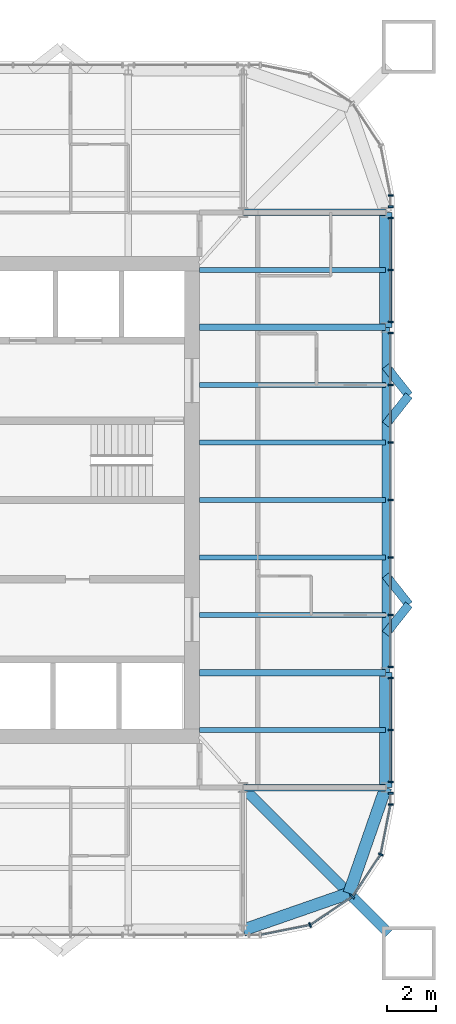
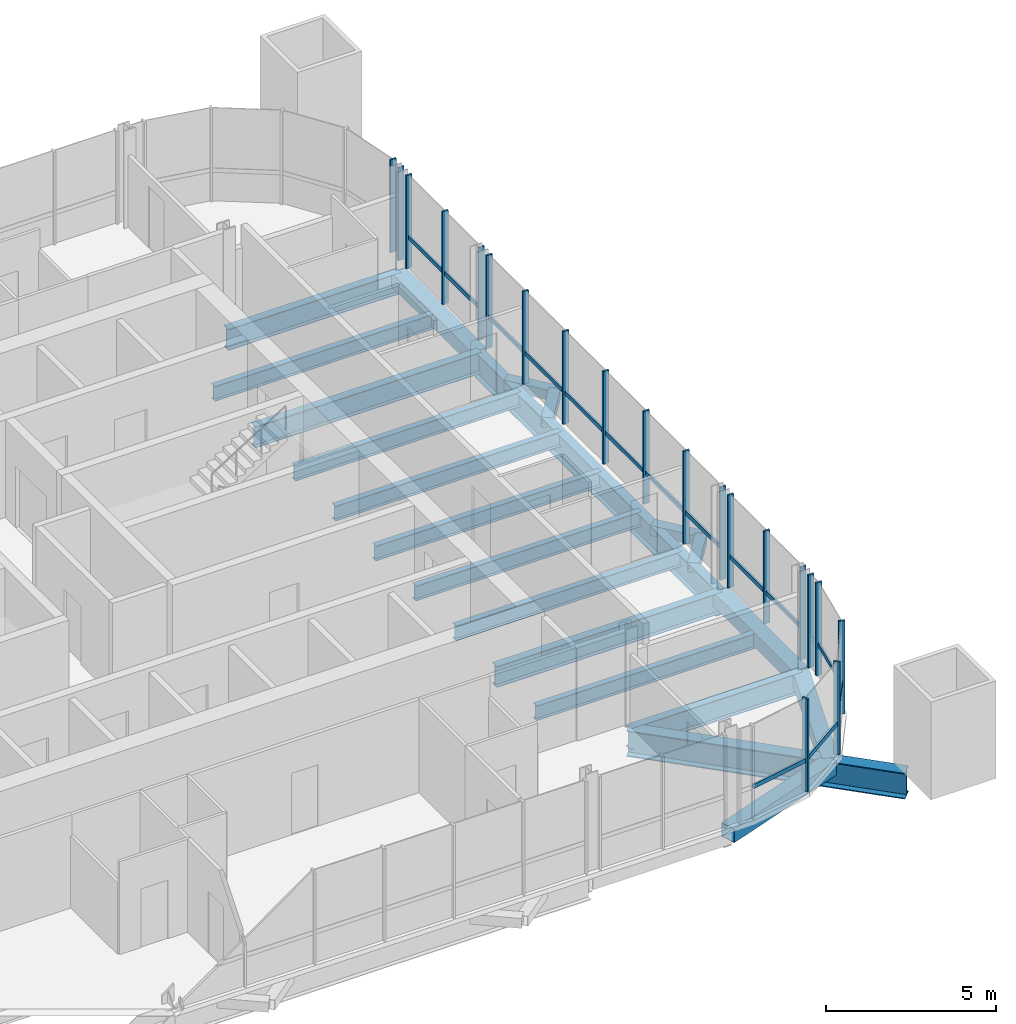
# One storey, part 5 of 17: 34 members, 21 beams, 6 elements without a shape of their own.
"""IFC4 building model written with IfcOpenShell, lengths in metres."""

import ifcopenshell
import ifcopenshell.guid

model = None  # the IFC model being written
_history = None  # IfcOwnerHistory: only IFC2X3 demands one
_inside = {}  # id of a spatial element -> (the spatial element, [elements in it])
_under = {}  # id of a project, library or spatial element -> (it, [spatial elements below it])
_declared = {}  # id of a project -> (the project, [libraries it declares])
_typed = {}  # id of a type object -> (the type object, [elements of that type])
_made_of = {}  # id of a material, layer set ... -> (it, [elements and type objects made of it])


def new_model(schema):
    """Start an empty IFC model of exactly this schema.

    Asked for "IFC4X3", IfcOpenShell would pick the latest addendum, in which some entities
    have other attributes; the version numbers below select the first issue.
    IFC2X3 requires an IfcOwnerHistory on every rooted entity: one is made here for all.
    """
    global model, _history
    if schema == "IFC4X3":
        model = ifcopenshell.file(schema_version=(4, 3, 0, 0))
    else:
        model = ifcopenshell.file(schema=schema)
    _inside.clear()
    _under.clear()
    _declared.clear()
    _typed.clear()
    _made_of.clear()
    _history = None
    if model.schema == "IFC2X3":
        org = make("IfcOrganization", Name="unknown")
        user = make(
            "IfcPersonAndOrganization",
            ThePerson=make("IfcPerson", FamilyName="unknown"),
            TheOrganization=org,
        )
        app = make(
            "IfcApplication",
            ApplicationDeveloper=org,
            Version="unknown",
            ApplicationFullName="unknown",
            ApplicationIdentifier="unknown",
        )
        _history = make(
            "IfcOwnerHistory",
            OwningUser=user,
            OwningApplication=app,
            ChangeAction="ADDED",
            CreationDate=0,
        )
    return model


def make(cls, **values):
    """One entity of the class cls with the attributes given. An attribute that is None is left unset."""
    return model.create_entity(
        cls, **{name: value for name, value in values.items() if value is not None}
    )


def rooted(cls, **values):
    """An entity with a GlobalId (a new one), such as an element, a storey or a relation."""
    return make(cls, GlobalId=ifcopenshell.guid.new(), OwnerHistory=_history, **values)


def si_unit(unit_type, name, prefix=None):
    """IfcSIUnit, for example si_unit("LENGTHUNIT", "METRE", prefix="MILLI")."""
    return make("IfcSIUnit", UnitType=unit_type, Prefix=prefix, Name=name)


def assignment(units):
    """IfcUnitAssignment: the units of a project."""
    return None if units is None else make("IfcUnitAssignment", Units=units)


def point(xyz):
    """IfcCartesianPoint."""
    return None if xyz is None else make("IfcCartesianPoint", Coordinates=xyz)


def direction(xyz):
    """IfcDirection."""
    return None if xyz is None else make("IfcDirection", DirectionRatios=xyz)


def frame(location, z_axis=None, x_axis=None):
    """IfcAxis2Placement3D, a coordinate frame: its origin and axes. An axis left out is left unset."""
    return make(
        "IfcAxis2Placement3D",
        Location=point(location),
        Axis=direction(z_axis),
        RefDirection=direction(x_axis),
    )


def frame_2d(location, x_axis=None):
    """IfcAxis2Placement2D, a coordinate frame in the plane: its origin and x axis."""
    return make(
        "IfcAxis2Placement2D", Location=point(location), RefDirection=direction(x_axis)
    )


def origin():
    """The frame at (0, 0, 0) with its axes left unset."""
    return frame((0.0, 0.0, 0.0))


def origin_2d():
    """The frame at (0, 0) in the plane with its x axis left unset."""
    return frame_2d((0.0, 0.0))


def place(relative_to, where):
    """IfcLocalPlacement: puts the frame where relative to a parent placement (None: the world)."""
    return make(
        "IfcLocalPlacement", PlacementRelTo=relative_to, RelativePlacement=where
    )


def context(
    kind, dimensions, precision=None, world=None, true_north=None, identifier=None
):
    """IfcGeometricRepresentationContext, for example the 3D "Model" context."""
    return make(
        "IfcGeometricRepresentationContext",
        ContextIdentifier=identifier,
        ContextType=kind,
        CoordinateSpaceDimension=dimensions,
        Precision=precision,
        WorldCoordinateSystem=world,
        TrueNorth=true_north,
    )


def subcontext(parent, identifier, kind, view, scale=None):
    """IfcGeometricRepresentationSubContext, for example "Body" below "Model"."""
    return make(
        "IfcGeometricRepresentationSubContext",
        ContextIdentifier=identifier,
        ContextType=kind,
        ParentContext=parent,
        TargetScale=scale,
        TargetView=view,
    )


def project(units=None, contexts=None):
    """IfcProject with its units and contexts."""
    return rooted(
        "IfcProject",
        Name="project",
        RepresentationContexts=contexts,
        UnitsInContext=assignment(units),
    )


def spatial(cls, under=None, at=None, **own):
    """A site, building, storey or space (cls), placed at a placement, below another one or the project."""
    s = rooted(cls, ObjectPlacement=at, **own)
    if under is not None:
        _under.setdefault(under.id(), (under, []))[1].append(s)
    return s


def profile(cls, at=None, kind="AREA", **sizes):
    """A parametric profile (cls). Its sizes go by their IFC names, for example OverallWidth=200.0."""
    return make(cls, ProfileType=kind, Position=at, **sizes)


def rectangle(**sizes):
    """IfcRectangleProfileDef."""
    return profile("IfcRectangleProfileDef", **sizes)


def hollow_rectangle(**sizes):
    """IfcRectangleHollowProfileDef."""
    return profile("IfcRectangleHollowProfileDef", **sizes)


def i_section(**sizes):
    """IfcIShapeProfileDef."""
    return profile("IfcIShapeProfileDef", **sizes)


def extrude(swept, where, along, depth):
    """IfcExtrudedAreaSolid: the profile swept, set in the frame where, extruded along a direction by depth."""
    return make(
        "IfcExtrudedAreaSolid",
        SweptArea=swept,
        Position=where,
        ExtrudedDirection=direction(along),
        Depth=depth,
    )


def shape(context_of_items, identifier, shape_type, items):
    """IfcShapeRepresentation: the items that make up one representation, for example the "Body"."""
    return make(
        "IfcShapeRepresentation",
        ContextOfItems=context_of_items,
        RepresentationIdentifier=identifier,
        RepresentationType=shape_type,
        Items=items,
    )


def material(Name=None, Category=None):
    """IfcMaterial."""
    return make("IfcMaterial", Name=Name, Category=Category)


def material_profile(
    of_material, cross_section, Name=None, Category=None, Priority=None
):
    """IfcMaterialProfile: a cross section and its material."""
    return make(
        "IfcMaterialProfile",
        Name=Name,
        Material=of_material,
        Profile=cross_section,
        Priority=Priority,
        Category=Category,
    )


def profile_set(profiles, Name=None, composite=None):
    """IfcMaterialProfileSet."""
    return make(
        "IfcMaterialProfileSet",
        Name=Name,
        MaterialProfiles=profiles,
        CompositeProfile=composite,
    )


def made_of(thing, what):
    """Note that an element or type object is made of a material, layer set ...; save() writes the relation."""
    if what is not None:
        _made_of.setdefault(what.id(), (what, []))[1].append(thing)
    return thing


def type_object(cls, material=None, **own):
    """A type object (cls), such as IfcWallType, which elements share."""
    return made_of(rooted(cls, **own), material)


def element(
    cls,
    number,
    at=None,
    inside=None,
    cuts=None,
    type_object=None,
    material=None,
    context=None,
    identifier="Body",
    shape_type=None,
    held_by="IfcProductDefinitionShape",
    body=None,
    shapes=None,
    **own,
):
    """One element of the class cls, such as IfcWall. Its Tag is "e" and its number.

    at: its placement. inside: the storey or other place that contains it. cuts: it is an
    opening in that element (IfcRelVoidsElement). A single representation is given by context,
    identifier, shape_type and body (its items); several are given by shapes. held_by: the class
    of the entity that holds the representations. save() writes the other relations.
    """
    e = rooted(cls, Tag="e%d" % number, ObjectPlacement=at, **own)
    if body is not None:
        shapes = [shape(context, identifier, shape_type, body)]
    if shapes is not None:
        e.Representation = make(held_by, Representations=shapes)
    if inside is not None:
        _inside.setdefault(inside.id(), (inside, []))[1].append(e)
    if cuts is not None:
        rooted(
            "IfcRelVoidsElement", RelatingBuildingElement=cuts, RelatedOpeningElement=e
        )
    if type_object is not None:
        _typed.setdefault(type_object.id(), (type_object, []))[1].append(e)
    return made_of(e, material)


def aggregate(whole, parts):
    """IfcRelAggregates: a whole, such as a stair, and the parts it consists of."""
    return rooted("IfcRelAggregates", RelatingObject=whole, RelatedObjects=parts)


def save(model, path):
    """Write the relations noted so far, then the file.

    IfcRelAggregates (storeys below a building ...), IfcRelContainedInSpatialStructure (elements
    in a storey), IfcRelDefinesByType, IfcRelAssociatesMaterial and IfcRelDeclares: one each for
    every whole, place, type object, material and project.
    """
    for whole, parts in _under.values():
        aggregate(whole, parts)
    for where, things in _inside.values():
        rooted(
            "IfcRelContainedInSpatialStructure",
            RelatedElements=things,
            RelatingStructure=where,
        )
    for kind, things in _typed.values():
        rooted("IfcRelDefinesByType", RelatedObjects=things, RelatingType=kind)
    for what, things in _made_of.values():
        rooted("IfcRelAssociatesMaterial", RelatedObjects=things, RelatingMaterial=what)
    for by, libraries in _declared.values():
        rooted("IfcRelDeclares", RelatingContext=by, RelatedDefinitions=libraries)
    model.write(path)


model = new_model("IFC4")

# Units and contexts
model_context = context("Model", 3, precision=1e-05, world=origin(), true_north=direction((0.0, 1.0)))
body_context = subcontext(model_context, "Body", "Model", "MODEL_VIEW")
ifc_project = project(units=[si_unit("LENGTHUNIT", "METRE"), si_unit("AREAUNIT", "SQUARE_METRE"), si_unit("VOLUMEUNIT", "CUBIC_METRE"), si_unit("PLANEANGLEUNIT", "RADIAN"), si_unit("MASSUNIT", "GRAM", prefix="KILO")], contexts=[model_context])

# Site, building, storey
site_placement = place(None, origin())
site = spatial("IfcSite", under=ifc_project, at=site_placement, CompositionType="ELEMENT")
building_placement = place(site_placement, origin())
building = spatial("IfcBuilding", under=site, at=building_placement, Name="Turquesa Mirador Hotel Tower", CompositionType="ELEMENT")
storey_placement = place(building_placement, frame((0.0, 0.0, 254.699951171875)))
storey = spatial("IfcBuildingStorey", under=building, at=storey_placement, Name="L69", CompositionType="ELEMENT", Elevation=254.699951171875)

# Beams
ifc_material_1 = material(Name="Steel ASTM A572 Grade 50", Category="steel")
ifc_material_profile_1 = material_profile(ifc_material_1, hollow_rectangle(XDim=0.5, YDim=0.5, WallThickness=0.01611328125, at=origin_2d()), Name="BOX500X500X16")
ifc_profile_set_1 = profile_set([ifc_material_profile_1], Name="Steel ASTM A572 Grade 50")
beam_type_1 = type_object("IfcBeamType", Name="BEAM BOX500X500X16", PredefinedType="BEAM", material=ifc_profile_set_1)
for number, where, z_axis, x_axis, name in (
    (1, (72.64990234375, 33.199951171875, -0.419921875), (0.0, 1.0, 0.0), (-1.0, 0.0, 0.0), "EB-L69-E-L"),
    (2, (72.64990234375, 52.080078125, -0.419921875), (0.0, 1.0, 0.0), (-1.0, 0.0, 0.0), "EB-L69-E-R"),
):
    element("IfcBeam", number, at=place(storey_placement, frame(where, z_axis=z_axis, x_axis=x_axis)), inside=storey, type_object=beam_type_1, Name=name, PredefinedType="BEAM", context=body_context, shape_type="SweptSolid", body=[
        extrude(hollow_rectangle(XDim=0.5, YDim=0.5, WallThickness=0.01611328125, at=origin_2d()), origin(), (0.0, 0.0, 1.0), 4.719970703125),
    ])
for number, where, z_axis, x_axis, name in (
    (3, (72.64990234375, 33.199951171875, -0.419921875), (-0.328170356092, -0.944618556552, 0.0), (0.944618556552, -0.328170356092, 0.0), "KE-L69-4-0"),
    (4, (71.1416015625, 28.8583984375, -0.419921875), (-0.944618556552, -0.328170356092, 0.0), (0.328170356092, -0.944618556552, 0.0), "KE-L69-4-1"),
):
    element("IfcBeam", number, at=place(storey_placement, frame(where, z_axis=z_axis, x_axis=x_axis)), inside=storey, type_object=beam_type_1, Name=name, PredefinedType="BEAM", context=body_context, shape_type="SweptSolid", body=[
        extrude(hollow_rectangle(XDim=0.5, YDim=0.5, WallThickness=0.01611328125, at=origin_2d()), origin(), (0.0, 0.0, 1.0), 4.59619140625),
    ])
ifc_material_2 = material(Name="Steel ASTM A992 Grade 50", Category="steel")
ifc_material_profile_2 = material_profile(ifc_material_2, i_section(OverallWidth=0.209228515625, OverallDepth=0.533447265625, WebThickness=0.01025390625, FlangeThickness=0.015625, at=origin_2d()), Name="W21X62")
ifc_profile_set_2 = profile_set([ifc_material_profile_2], Name="Steel ASTM A992 Grade 50")
beam_type_2 = type_object("IfcBeamType", Name="BEAM W21X62", PredefinedType="BEAM", material=ifc_profile_set_2)
for number, where, z_axis, x_axis, name in (
    (5, (72.64990234375, 35.56005859375, -0.436767578125), (-1.0, 0.0, 0.0), (0.0, -1.0, 0.0), "BM-L69-E--9.44"),
    (6, (72.64990234375, 40.280029296875, -0.436767578125), (-1.0, 0.0, 0.0), (0.0, -1.0, 0.0), "BM-L69-E--4.72"),
    (7, (72.64990234375, 42.639892578125, -0.436767578125), (-1.0, 0.0, 0.0), (0.0, -1.0, 0.0), "BM-L69-E--2.36"),
    (8, (72.64990234375, 45.0, -0.436767578125), (-1.0, 0.0, 0.0), (0.0, -1.0, 0.0), "BM-L69-E-+0.00"),
    (9, (72.64990234375, 47.360107421875, -0.436767578125), (-1.0, 0.0, 0.0), (0.0, -1.0, 0.0), "BM-L69-E-+2.36"),
    (10, (72.64990234375, 49.719970703125, -0.436767578125), (-1.0, 0.0, 0.0), (0.0, -1.0, 0.0), "BM-L69-E-+4.72"),
    (11, (72.64990234375, 54.43994140625, -0.436767578125), (-1.0, 0.0, 0.0), (0.0, -1.0, 0.0), "BM-L69-E-+9.44"),
):
    element("IfcBeam", number, at=place(storey_placement, frame(where, z_axis=z_axis, x_axis=x_axis)), inside=storey, type_object=beam_type_2, Name=name, PredefinedType="BEAM", context=body_context, shape_type="SweptSolid", body=[
        extrude(i_section(OverallWidth=0.209228515625, OverallDepth=0.533447265625, WebThickness=0.01025390625, FlangeThickness=0.015625, at=origin_2d()), origin(), (0.0, 0.0, 1.0), 7.64990234375),
    ])
ifc_material_3 = material(Name="Steel ASTM A992 Grade 50", Category="steel")
ifc_material_profile_3 = material_profile(ifc_material_3, i_section(OverallWidth=0.2666015625, OverallDepth=0.7568359375, WebThickness=0.013916015625, FlangeThickness=0.019287109375, at=origin_2d()), Name="W30X108")
ifc_profile_set_3 = profile_set([ifc_material_profile_3], Name="Steel ASTM A992 Grade 50")
beam_type_3 = type_object("IfcBeamType", Name="BEAM W30X108", PredefinedType="BEAM", material=ifc_profile_set_3)
for number, where, z_axis, x_axis, name in (
    (12, (72.64990234375, 37.919921875, -0.54833984375), (-1.0, 0.0, 0.0), (0.0, -1.0, 0.0), "GD-L69-E--7.08"),
    (13, (72.64990234375, 52.080078125, -0.54833984375), (-1.0, 0.0, 0.0), (0.0, -1.0, 0.0), "GD-L69-E-+7.08"),
):
    element("IfcBeam", number, at=place(storey_placement, frame(where, z_axis=z_axis, x_axis=x_axis)), inside=storey, type_object=beam_type_3, Name=name, PredefinedType="BEAM", context=body_context, shape_type="SweptSolid", body=[
        extrude(i_section(OverallWidth=0.2666015625, OverallDepth=0.7568359375, WebThickness=0.013916015625, FlangeThickness=0.019287109375, at=origin_2d()), origin(), (0.0, 0.0, 1.0), 7.64990234375),
    ])
for number, where, z_axis, x_axis, name in (
    (14, (72.64990234375, 33.199951171875, -0.54833984375), (-1.0, 0.0, 0.0), (0.0, -1.0, 0.0), "GK-L69-E--11.80"),
    (15, (72.64990234375, 56.800048828125, -0.54833984375), (-1.0, 0.0, 0.0), (0.0, -1.0, 0.0), "GK-L69-E-+11.80"),
):
    element("IfcBeam", number, at=place(storey_placement, frame(where, z_axis=z_axis, x_axis=x_axis)), inside=storey, type_object=beam_type_3, Name=name, PredefinedType="BEAM", context=body_context, shape_type="SweptSolid", body=[
        extrude(i_section(OverallWidth=0.2666015625, OverallDepth=0.7568359375, WebThickness=0.013916015625, FlangeThickness=0.019287109375, at=origin_2d()), origin(), (0.0, 0.0, 1.0), 5.849853515625),
    ])
ifc_material_4 = material(Name="Steel ASTM A992 Grade 50", Category="steel")
ifc_material_profile_4 = material_profile(ifc_material_4, i_section(OverallWidth=0.3046875, OverallDepth=0.911865234375, WebThickness=0.015869140625, FlangeThickness=0.02392578125, at=origin_2d()), Name="W36X150")
ifc_profile_set_4 = profile_set([ifc_material_profile_4], Name="Steel ASTM A992 Grade 50")
beam_type_4 = type_object("IfcBeamType", Name="BEAM W36X150", PredefinedType="BEAM", material=ifc_profile_set_4)
beam_1_placement = place(storey_placement, frame((72.64990234375, 37.919921875, -0.6259765625), z_axis=(0.0, 1.0, 0.0), x_axis=(-1.0, 0.0, 0.0)))
element("IfcBeam", 16, at=beam_1_placement, inside=storey, type_object=beam_type_4, Name="EB-L69-E-C", PredefinedType="BEAM", context=body_context, shape_type="SweptSolid", body=[
    extrude(i_section(OverallWidth=0.3046875, OverallDepth=0.911865234375, WebThickness=0.015869140625, FlangeThickness=0.02392578125, at=origin_2d()), origin(), (0.0, 0.0, 1.0), 14.16015625),
])
ifc_material_5 = material(Name="Steel ASTM A992 Grade 50", Category="steel")
ifc_material_profile_5 = material_profile(ifc_material_5, i_section(OverallWidth=0.419189453125, OverallDepth=0.927001953125, WebThickness=0.019287109375, FlangeThickness=0.031982421875, at=origin_2d()), Name="W36X231")
ifc_profile_set_5 = profile_set([ifc_material_profile_5], Name="Steel ASTM A992 Grade 50")
beam_type_5 = type_object("IfcBeamType", Name="BEAM W36X231", PredefinedType="BEAM", material=ifc_profile_set_5)
beam_2_placement = place(storey_placement, frame((66.800048828125, 33.199951171875, -0.633544921875), z_axis=(0.707106781187, -0.707106781187, 0.0), x_axis=(0.707106781187, 0.707106781187, 0.0)))
element("IfcBeam", 17, at=beam_2_placement, inside=storey, type_object=beam_type_5, Name="KD-L69-4", PredefinedType="BEAM", context=body_context, shape_type="SweptSolid", body=[
    extrude(i_section(OverallWidth=0.419189453125, OverallDepth=0.927001953125, WebThickness=0.019287109375, FlangeThickness=0.031982421875, at=origin_2d()), origin(), (0.0, 0.0, 1.0), 8.46240234375),
])
ifc_material_6 = material(Name="Steel ASTM A500 Grade C", Category="steel")
ifc_material_profile_6 = material_profile(ifc_material_6, hollow_rectangle(XDim=0.355712890625, YDim=0.355712890625, WallThickness=0.0146484375, at=origin_2d()), Name="HSS14X14X5/8")
ifc_profile_set_6 = profile_set([ifc_material_profile_6], Name="Steel ASTM A500 Grade C")
beam_type_6 = type_object("IfcBeamType", Name="BRACE STRUT HSS14X14X5/8", PredefinedType="BEAM", material=ifc_profile_set_6)
for number, where, z_axis, x_axis, name in (
    (18, (73.60009765625, 49.292236328125, -0.34765625), (-0.620796907089, -0.783971428146, 0.0), (0.783971428146, -0.620796907089, 0.0), "Brace strut"),
    (19, (73.60009765625, 49.292236328125, -0.34765625), (-0.620796907089, 0.783971428146, 0.0), (-0.783971428146, -0.620796907089, 0.0), "Brace strut"),
    (20, (73.60009765625, 40.707763671875, -0.34765625), (-0.620796907089, -0.783971428146, 0.0), (0.783971428146, -0.620796907089, 0.0), "Brace strut"),
    (21, (73.60009765625, 40.707763671875, -0.34765625), (-0.620796907089, 0.783971428146, 0.0), (-0.783971428146, -0.620796907089, 0.0), "Brace strut"),
):
    element("IfcBeam", number, at=place(storey_placement, frame(where, z_axis=z_axis, x_axis=x_axis)), inside=storey, type_object=beam_type_6, Name=name, PredefinedType="BEAM", context=body_context, shape_type="SweptSolid", body=[
        extrude(hollow_rectangle(XDim=0.355712890625, YDim=0.355712890625, WallThickness=0.0146484375, at=origin_2d()), origin(), (0.0, 0.0, 1.0), 1.530517578125),
    ])

# Curtain wall, members
ifc_material_7 = material(Name="Aluminium extrusion", Category="aluminium")
curtain_wall_type = type_object("IfcCurtainWallType", Name="CW-4 SUITE FRITTED CURTAIN WALL", PredefinedType="USERDEFINED", material=ifc_material_7)
curtain_wall_1_placement = place(storey_placement, origin())
curtain_wall_1 = element("IfcCurtainWall", 22, at=curtain_wall_1_placement, inside=storey, type_object=curtain_wall_type, Name="CW-4 SUITE FRITTED CURTAIN WALL L69", ObjectType="CURTAIN WALL", PredefinedType="USERDEFINED")
ifc_material_8 = material(Name="Aluminium extrusion", Category="aluminium")
ifc_material_profile_7 = material_profile(ifc_material_8, rectangle(XDim=0.06494140625, YDim=0.199951171875, at=origin_2d()), Name="MULLION 65X200")
ifc_profile_set_7 = profile_set([ifc_material_profile_7], Name="Aluminium extrusion")
member_type_1 = type_object("IfcMemberType", Name="CW MULLION 65X200", PredefinedType="MULLION", material=ifc_profile_set_7)
member_1_placement = place(storey_placement, frame((69.54736328125, 27.55712890625, 0.0), z_axis=(0.0, 0.0, 1.0), x_axis=(0.923879532511, 0.382683432365, 0.0)))
member_1 = element("IfcMember", 23, at=member_1_placement, type_object=member_type_1, Name="Mullion", PredefinedType="MULLION", context=body_context, shape_type="SweptSolid", body=[
    extrude(rectangle(XDim=0.06494140625, YDim=0.199951171875, at=origin_2d()), origin(), (0.0, 0.0, 1.0), 3.330078125),
])
member_2_placement = place(storey_placement, frame((71.282958984375, 28.717041015625, 0.0), z_axis=(0.0, 0.0, 1.0), x_axis=(0.707106781187, 0.707106781187, 0.0)))
member_2 = element("IfcMember", 24, at=member_2_placement, type_object=member_type_1, Name="Mullion", PredefinedType="MULLION", context=body_context, shape_type="SweptSolid", body=[
    extrude(rectangle(XDim=0.06494140625, YDim=0.199951171875, at=origin_2d()), origin(), (0.0, 0.0, 1.0), 3.330078125),
])
member_3_placement = place(storey_placement, frame((72.44287109375, 30.45263671875, 0.0), z_axis=(0.0, 0.0, 1.0), x_axis=(0.382683432365, 0.923879532511, 0.0)))
member_3 = element("IfcMember", 25, at=member_3_placement, type_object=member_type_1, Name="Mullion", PredefinedType="MULLION", context=body_context, shape_type="SweptSolid", body=[
    extrude(rectangle(XDim=0.06494140625, YDim=0.199951171875, at=origin_2d()), origin(), (0.0, 0.0, 1.0), 3.330078125),
])

curtain_wall_2_placement = place(storey_placement, origin())
curtain_wall_2 = element("IfcCurtainWall", 26, at=curtain_wall_2_placement, inside=storey, type_object=curtain_wall_type, Name="CW-4 SUITE FRITTED CURTAIN WALL L69", ObjectType="CURTAIN WALL", PredefinedType="USERDEFINED")
member_4_placement = place(storey_placement, frame((72.85009765625, 32.5, 0.0), z_axis=(0.0, 0.0, 1.0), x_axis=(0.0, 1.0, 0.0)))
member_4 = element("IfcMember", 27, at=member_4_placement, type_object=member_type_1, Name="Mullion", PredefinedType="MULLION", context=body_context, shape_type="SweptSolid", body=[
    extrude(rectangle(XDim=0.06494140625, YDim=0.199951171875, at=origin_2d()), origin(), (0.0, 0.0, 1.0), 3.330078125),
])
member_5_placement = place(storey_placement, frame((72.85009765625, 32.966064453125, 0.0), z_axis=(0.0, 0.0, 1.0), x_axis=(0.0, 1.0, 0.0)))
member_5 = element("IfcMember", 28, at=member_5_placement, type_object=member_type_1, Name="Mullion", PredefinedType="MULLION", context=body_context, shape_type="SweptSolid", body=[
    extrude(rectangle(XDim=0.06494140625, YDim=0.199951171875, at=origin_2d()), origin(), (0.0, 0.0, 1.0), 3.330078125),
])
aggregate(curtain_wall_2, [member_4, member_5])

curtain_wall_3_placement = place(storey_placement, origin())
curtain_wall_3 = element("IfcCurtainWall", 29, at=curtain_wall_3_placement, inside=storey, type_object=curtain_wall_type, Name="CW-4 SUITE FRITTED CURTAIN WALL L69", ObjectType="CURTAIN WALL", PredefinedType="USERDEFINED")
member_6_placement = place(storey_placement, frame((72.85009765625, 33.433837890625, 0.0), z_axis=(0.0, 0.0, 1.0), x_axis=(0.0, 1.0, 0.0)))
member_6 = element("IfcMember", 30, at=member_6_placement, type_object=member_type_1, Name="Mullion", PredefinedType="MULLION", context=body_context, shape_type="SweptSolid", body=[
    extrude(rectangle(XDim=0.06494140625, YDim=0.199951171875, at=origin_2d()), origin(), (0.0, 0.0, 1.0), 3.330078125),
])
member_7_placement = place(storey_placement, frame((72.85009765625, 35.56005859375, 0.0), z_axis=(0.0, 0.0, 1.0), x_axis=(0.0, 1.0, 0.0)))
member_7 = element("IfcMember", 31, at=member_7_placement, type_object=member_type_1, Name="Mullion", PredefinedType="MULLION", context=body_context, shape_type="SweptSolid", body=[
    extrude(rectangle(XDim=0.06494140625, YDim=0.199951171875, at=origin_2d()), origin(), (0.0, 0.0, 1.0), 3.330078125),
])
member_8_placement = place(storey_placement, frame((72.85009765625, 37.68603515625, 0.0), z_axis=(0.0, 0.0, 1.0), x_axis=(0.0, 1.0, 0.0)))
member_8 = element("IfcMember", 32, at=member_8_placement, type_object=member_type_1, Name="Mullion", PredefinedType="MULLION", context=body_context, shape_type="SweptSolid", body=[
    extrude(rectangle(XDim=0.06494140625, YDim=0.199951171875, at=origin_2d()), origin(), (0.0, 0.0, 1.0), 3.330078125),
])

curtain_wall_4_placement = place(storey_placement, origin())
curtain_wall_4 = element("IfcCurtainWall", 33, at=curtain_wall_4_placement, inside=storey, type_object=curtain_wall_type, Name="CW-4 SUITE FRITTED CURTAIN WALL L69", ObjectType="CURTAIN WALL", PredefinedType="USERDEFINED")
member_9_placement = place(storey_placement, frame((72.85009765625, 38.15380859375, 0.0), z_axis=(0.0, 0.0, 1.0), x_axis=(0.0, 1.0, 0.0)))
member_9 = element("IfcMember", 34, at=member_9_placement, type_object=member_type_1, Name="Mullion", PredefinedType="MULLION", context=body_context, shape_type="SweptSolid", body=[
    extrude(rectangle(XDim=0.06494140625, YDim=0.199951171875, at=origin_2d()), origin(), (0.0, 0.0, 1.0), 3.330078125),
])
member_10_placement = place(storey_placement, frame((72.85009765625, 40.280029296875, 0.0), z_axis=(0.0, 0.0, 1.0), x_axis=(0.0, 1.0, 0.0)))
member_10 = element("IfcMember", 35, at=member_10_placement, type_object=member_type_1, Name="Mullion", PredefinedType="MULLION", context=body_context, shape_type="SweptSolid", body=[
    extrude(rectangle(XDim=0.06494140625, YDim=0.199951171875, at=origin_2d()), origin(), (0.0, 0.0, 1.0), 3.330078125),
])
member_11_placement = place(storey_placement, frame((72.85009765625, 42.639892578125, 0.0), z_axis=(0.0, 0.0, 1.0), x_axis=(0.0, 1.0, 0.0)))
member_11 = element("IfcMember", 36, at=member_11_placement, type_object=member_type_1, Name="Mullion", PredefinedType="MULLION", context=body_context, shape_type="SweptSolid", body=[
    extrude(rectangle(XDim=0.06494140625, YDim=0.199951171875, at=origin_2d()), origin(), (0.0, 0.0, 1.0), 3.330078125),
])
member_12_placement = place(storey_placement, frame((72.85009765625, 45.0, 0.0), z_axis=(0.0, 0.0, 1.0), x_axis=(0.0, 1.0, 0.0)))
member_12 = element("IfcMember", 37, at=member_12_placement, type_object=member_type_1, Name="Mullion", PredefinedType="MULLION", context=body_context, shape_type="SweptSolid", body=[
    extrude(rectangle(XDim=0.06494140625, YDim=0.199951171875, at=origin_2d()), origin(), (0.0, 0.0, 1.0), 3.330078125),
])
member_13_placement = place(storey_placement, frame((72.85009765625, 47.360107421875, 0.0), z_axis=(0.0, 0.0, 1.0), x_axis=(0.0, 1.0, 0.0)))
member_13 = element("IfcMember", 38, at=member_13_placement, type_object=member_type_1, Name="Mullion", PredefinedType="MULLION", context=body_context, shape_type="SweptSolid", body=[
    extrude(rectangle(XDim=0.06494140625, YDim=0.199951171875, at=origin_2d()), origin(), (0.0, 0.0, 1.0), 3.330078125),
])
member_14_placement = place(storey_placement, frame((72.85009765625, 49.719970703125, 0.0), z_axis=(0.0, 0.0, 1.0), x_axis=(0.0, 1.0, 0.0)))
member_14 = element("IfcMember", 39, at=member_14_placement, type_object=member_type_1, Name="Mullion", PredefinedType="MULLION", context=body_context, shape_type="SweptSolid", body=[
    extrude(rectangle(XDim=0.06494140625, YDim=0.199951171875, at=origin_2d()), origin(), (0.0, 0.0, 1.0), 3.330078125),
])
member_15_placement = place(storey_placement, frame((72.85009765625, 51.84619140625, 0.0), z_axis=(0.0, 0.0, 1.0), x_axis=(0.0, 1.0, 0.0)))
member_15 = element("IfcMember", 40, at=member_15_placement, type_object=member_type_1, Name="Mullion", PredefinedType="MULLION", context=body_context, shape_type="SweptSolid", body=[
    extrude(rectangle(XDim=0.06494140625, YDim=0.199951171875, at=origin_2d()), origin(), (0.0, 0.0, 1.0), 3.330078125),
])

curtain_wall_5_placement = place(storey_placement, origin())
curtain_wall_5 = element("IfcCurtainWall", 41, at=curtain_wall_5_placement, inside=storey, type_object=curtain_wall_type, Name="CW-4 SUITE FRITTED CURTAIN WALL L69", ObjectType="CURTAIN WALL", PredefinedType="USERDEFINED")
member_16_placement = place(storey_placement, frame((72.85009765625, 52.31396484375, 0.0), z_axis=(0.0, 0.0, 1.0), x_axis=(0.0, 1.0, 0.0)))
member_16 = element("IfcMember", 42, at=member_16_placement, type_object=member_type_1, Name="Mullion", PredefinedType="MULLION", context=body_context, shape_type="SweptSolid", body=[
    extrude(rectangle(XDim=0.06494140625, YDim=0.199951171875, at=origin_2d()), origin(), (0.0, 0.0, 1.0), 3.330078125),
])
member_17_placement = place(storey_placement, frame((72.85009765625, 54.43994140625, 0.0), z_axis=(0.0, 0.0, 1.0), x_axis=(0.0, 1.0, 0.0)))
member_17 = element("IfcMember", 43, at=member_17_placement, type_object=member_type_1, Name="Mullion", PredefinedType="MULLION", context=body_context, shape_type="SweptSolid", body=[
    extrude(rectangle(XDim=0.06494140625, YDim=0.199951171875, at=origin_2d()), origin(), (0.0, 0.0, 1.0), 3.330078125),
])
member_18_placement = place(storey_placement, frame((72.85009765625, 56.566162109375, 0.0), z_axis=(0.0, 0.0, 1.0), x_axis=(0.0, 1.0, 0.0)))
member_18 = element("IfcMember", 44, at=member_18_placement, type_object=member_type_1, Name="Mullion", PredefinedType="MULLION", context=body_context, shape_type="SweptSolid", body=[
    extrude(rectangle(XDim=0.06494140625, YDim=0.199951171875, at=origin_2d()), origin(), (0.0, 0.0, 1.0), 3.330078125),
])

curtain_wall_6_placement = place(storey_placement, origin())
curtain_wall_6 = element("IfcCurtainWall", 45, at=curtain_wall_6_placement, inside=storey, type_object=curtain_wall_type, Name="CW-4 SUITE FRITTED CURTAIN WALL L69", ObjectType="CURTAIN WALL", PredefinedType="USERDEFINED")
member_19_placement = place(storey_placement, frame((72.85009765625, 57.033935546875, 0.0), z_axis=(0.0, 0.0, 1.0), x_axis=(0.0, 1.0, 0.0)))
member_19 = element("IfcMember", 46, at=member_19_placement, type_object=member_type_1, Name="Mullion", PredefinedType="MULLION", context=body_context, shape_type="SweptSolid", body=[
    extrude(rectangle(XDim=0.06494140625, YDim=0.199951171875, at=origin_2d()), origin(), (0.0, 0.0, 1.0), 3.330078125),
])
member_20_placement = place(storey_placement, frame((72.85009765625, 57.5, 0.0), z_axis=(0.0, 0.0, 1.0), x_axis=(0.0, 1.0, 0.0)))
member_20 = element("IfcMember", 47, at=member_20_placement, type_object=member_type_1, Name="Mullion", PredefinedType="MULLION", context=body_context, shape_type="SweptSolid", body=[
    extrude(rectangle(XDim=0.06494140625, YDim=0.199951171875, at=origin_2d()), origin(), (0.0, 0.0, 1.0), 3.330078125),
])
aggregate(curtain_wall_6, [member_19, member_20])

# Member
ifc_material_9 = material(Name="Aluminium extrusion", Category="aluminium")
ifc_material_profile_8 = material_profile(ifc_material_9, rectangle(XDim=0.06494140625, YDim=0.14990234375, at=origin_2d()), Name="TRANSOM 65X150")
ifc_profile_set_8 = profile_set([ifc_material_profile_8], Name="Aluminium extrusion")
member_type_2 = type_object("IfcMemberType", Name="CW TRANSOM 65X150", PredefinedType="USERDEFINED", material=ifc_profile_set_8)
member_21_placement = place(storey_placement, frame((67.531982421875, 27.15625, 1.10009765625), z_axis=(0.980761343592, 0.195210621934, 0.0), x_axis=(-0.195210621934, 0.980761343592, 0.0)))
member_21 = element("IfcMember", 48, at=member_21_placement, type_object=member_type_2, Name="Transom", ObjectType="TRANSOM", PredefinedType="USERDEFINED", context=body_context, shape_type="SweptSolid", body=[
    extrude(rectangle(XDim=0.06494140625, YDim=0.14990234375, at=origin_2d()), origin(), (0.0, 0.0, 1.0), 2.022216796875),
])

member_22_placement = place(storey_placement, frame((69.574462890625, 27.5751953125, 1.10009765625), z_axis=(0.831436961136, 0.555619095835, 0.0), x_axis=(-0.555619095835, 0.831436961136, 0.0)))
member_22 = element("IfcMember", 49, at=member_22_placement, type_object=member_type_2, Name="Transom", ObjectType="TRANSOM", PredefinedType="USERDEFINED", context=body_context, shape_type="SweptSolid", body=[
    extrude(rectangle(XDim=0.06494140625, YDim=0.14990234375, at=origin_2d()), origin(), (0.0, 0.0, 1.0), 2.0224609375),
])

member_23_placement = place(storey_placement, frame((71.301025390625, 28.743896484375, 1.10009765625), z_axis=(0.555619095835, 0.831436961136, 0.0), x_axis=(-0.831436961136, 0.555619095835, 0.0)))
member_23 = element("IfcMember", 50, at=member_23_placement, type_object=member_type_2, Name="Transom", ObjectType="TRANSOM", PredefinedType="USERDEFINED", context=body_context, shape_type="SweptSolid", body=[
    extrude(rectangle(XDim=0.06494140625, YDim=0.14990234375, at=origin_2d()), origin(), (0.0, 0.0, 1.0), 2.0224609375),
])

member_24_placement = place(storey_placement, frame((72.448974609375, 30.484619140625, 1.10009765625), z_axis=(0.195210621934, 0.980761343592, 0.0), x_axis=(-0.980761343592, 0.195210621934, 0.0)))
member_24 = element("IfcMember", 51, at=member_24_placement, type_object=member_type_2, Name="Transom", ObjectType="TRANSOM", PredefinedType="USERDEFINED", context=body_context, shape_type="SweptSolid", body=[
    extrude(rectangle(XDim=0.06494140625, YDim=0.14990234375, at=origin_2d()), origin(), (0.0, 0.0, 1.0), 2.022216796875),
])

aggregate(curtain_wall_1, [member_1, member_2, member_3, member_21, member_22, member_23, member_24])

member_25_placement = place(storey_placement, frame((72.85009765625, 33.46630859375, 1.10009765625), z_axis=(0.0, 1.0, 0.0), x_axis=(-1.0, 0.0, 0.0)))
member_25 = element("IfcMember", 52, at=member_25_placement, type_object=member_type_2, Name="Transom", ObjectType="TRANSOM", PredefinedType="USERDEFINED", context=body_context, shape_type="SweptSolid", body=[
    extrude(rectangle(XDim=0.06494140625, YDim=0.14990234375, at=origin_2d()), origin(), (0.0, 0.0, 1.0), 2.061279296875),
])

member_26_placement = place(storey_placement, frame((72.85009765625, 35.592529296875, 1.10009765625), z_axis=(0.0, 1.0, 0.0), x_axis=(-1.0, 0.0, 0.0)))
member_26 = element("IfcMember", 53, at=member_26_placement, type_object=member_type_2, Name="Transom", ObjectType="TRANSOM", PredefinedType="USERDEFINED", context=body_context, shape_type="SweptSolid", body=[
    extrude(rectangle(XDim=0.06494140625, YDim=0.14990234375, at=origin_2d()), origin(), (0.0, 0.0, 1.0), 2.06103515625),
])

aggregate(curtain_wall_3, [member_6, member_7, member_8, member_25, member_26])

member_27_placement = place(storey_placement, frame((72.85009765625, 38.186279296875, 1.10009765625), z_axis=(0.0, 1.0, 0.0), x_axis=(-1.0, 0.0, 0.0)))
member_27 = element("IfcMember", 54, at=member_27_placement, type_object=member_type_2, Name="Transom", ObjectType="TRANSOM", PredefinedType="USERDEFINED", context=body_context, shape_type="SweptSolid", body=[
    extrude(rectangle(XDim=0.06494140625, YDim=0.14990234375, at=origin_2d()), origin(), (0.0, 0.0, 1.0), 2.061279296875),
])

member_28_placement = place(storey_placement, frame((72.85009765625, 40.3125, 1.10009765625), z_axis=(0.0, 1.0, 0.0), x_axis=(-1.0, 0.0, 0.0)))
member_28 = element("IfcMember", 55, at=member_28_placement, type_object=member_type_2, Name="Transom", ObjectType="TRANSOM", PredefinedType="USERDEFINED", context=body_context, shape_type="SweptSolid", body=[
    extrude(rectangle(XDim=0.06494140625, YDim=0.14990234375, at=origin_2d()), origin(), (0.0, 0.0, 1.0), 2.294921875),
])

member_29_placement = place(storey_placement, frame((72.85009765625, 42.672607421875, 1.10009765625), z_axis=(0.0, 1.0, 0.0), x_axis=(-1.0, 0.0, 0.0)))
member_29 = element("IfcMember", 56, at=member_29_placement, type_object=member_type_2, Name="Transom", ObjectType="TRANSOM", PredefinedType="USERDEFINED", context=body_context, shape_type="SweptSolid", body=[
    extrude(rectangle(XDim=0.06494140625, YDim=0.14990234375, at=origin_2d()), origin(), (0.0, 0.0, 1.0), 2.294921875),
])

member_30_placement = place(storey_placement, frame((72.85009765625, 45.032470703125, 1.10009765625), z_axis=(0.0, 1.0, 0.0), x_axis=(-1.0, 0.0, 0.0)))
member_30 = element("IfcMember", 57, at=member_30_placement, type_object=member_type_2, Name="Transom", ObjectType="TRANSOM", PredefinedType="USERDEFINED", context=body_context, shape_type="SweptSolid", body=[
    extrude(rectangle(XDim=0.06494140625, YDim=0.14990234375, at=origin_2d()), origin(), (0.0, 0.0, 1.0), 2.294921875),
])

member_31_placement = place(storey_placement, frame((72.85009765625, 47.392578125, 1.10009765625), z_axis=(0.0, 1.0, 0.0), x_axis=(-1.0, 0.0, 0.0)))
member_31 = element("IfcMember", 58, at=member_31_placement, type_object=member_type_2, Name="Transom", ObjectType="TRANSOM", PredefinedType="USERDEFINED", context=body_context, shape_type="SweptSolid", body=[
    extrude(rectangle(XDim=0.06494140625, YDim=0.14990234375, at=origin_2d()), origin(), (0.0, 0.0, 1.0), 2.294921875),
])

member_32_placement = place(storey_placement, frame((72.85009765625, 49.75244140625, 1.10009765625), z_axis=(0.0, 1.0, 0.0), x_axis=(-1.0, 0.0, 0.0)))
member_32 = element("IfcMember", 59, at=member_32_placement, type_object=member_type_2, Name="Transom", ObjectType="TRANSOM", PredefinedType="USERDEFINED", context=body_context, shape_type="SweptSolid", body=[
    extrude(rectangle(XDim=0.06494140625, YDim=0.14990234375, at=origin_2d()), origin(), (0.0, 0.0, 1.0), 2.061279296875),
])

aggregate(curtain_wall_4, [member_9, member_10, member_11, member_12, member_13, member_14, member_15, member_27, member_28, member_29, member_30, member_31, member_32])

member_33_placement = place(storey_placement, frame((72.85009765625, 52.346435546875, 1.10009765625), z_axis=(0.0, 1.0, 0.0), x_axis=(-1.0, 0.0, 0.0)))
member_33 = element("IfcMember", 60, at=member_33_placement, type_object=member_type_2, Name="Transom", ObjectType="TRANSOM", PredefinedType="USERDEFINED", context=body_context, shape_type="SweptSolid", body=[
    extrude(rectangle(XDim=0.06494140625, YDim=0.14990234375, at=origin_2d()), origin(), (0.0, 0.0, 1.0), 2.06103515625),
])

member_34_placement = place(storey_placement, frame((72.85009765625, 54.472412109375, 1.10009765625), z_axis=(0.0, 1.0, 0.0), x_axis=(-1.0, 0.0, 0.0)))
member_34 = element("IfcMember", 61, at=member_34_placement, type_object=member_type_2, Name="Transom", ObjectType="TRANSOM", PredefinedType="USERDEFINED", context=body_context, shape_type="SweptSolid", body=[
    extrude(rectangle(XDim=0.06494140625, YDim=0.14990234375, at=origin_2d()), origin(), (0.0, 0.0, 1.0), 2.061279296875),
])

aggregate(curtain_wall_5, [member_16, member_17, member_18, member_33, member_34])

save(model, "model.ifc")
